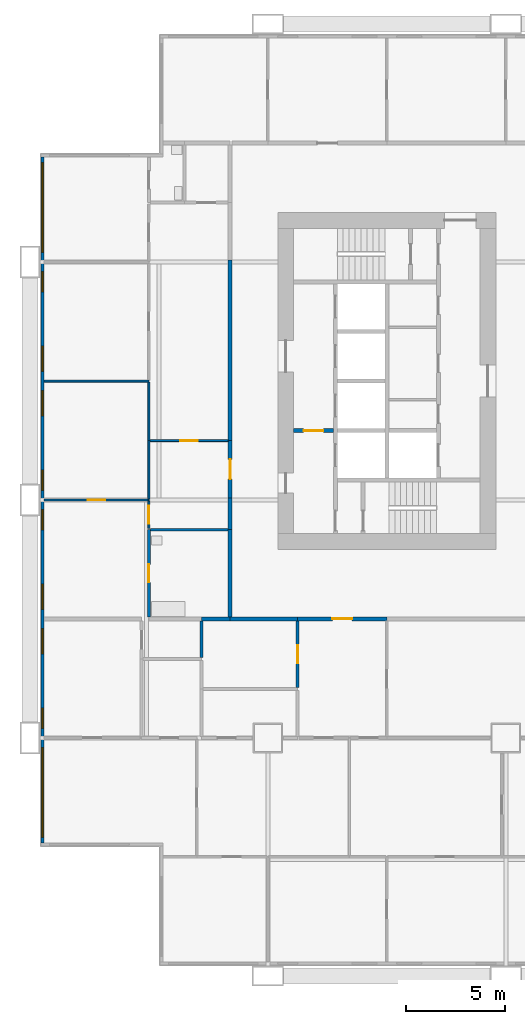
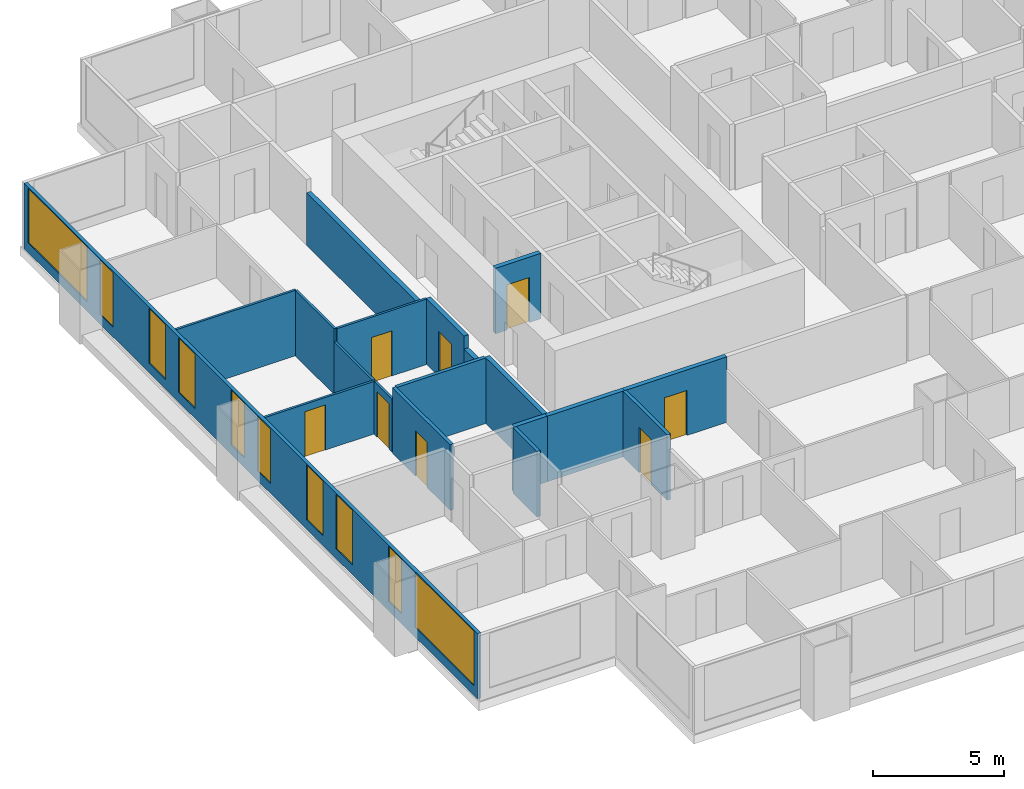
# One storey, part 3 of 14: 19 walls, 10 windows, 8 doors, 18 openings.
"""IFC4 building model written with IfcOpenShell, lengths in metres."""

from ifc_helpers import new_model, si_unit, direction, frame, frame_2d, origin, place, context, subcontext, project, spatial, rectangle, extrude, material, layer, layer_set, type_object, element, fill, save


model = new_model("IFC4")

# Units and contexts
model_context = context("Model", 3, precision=1e-05, world=origin(), true_north=direction((0.0, 1.0)))
body_context = subcontext(model_context, "Body", "Model", "MODEL_VIEW")
ifc_project = project(units=[si_unit("LENGTHUNIT", "METRE"), si_unit("AREAUNIT", "SQUARE_METRE"), si_unit("VOLUMEUNIT", "CUBIC_METRE"), si_unit("PLANEANGLEUNIT", "RADIAN"), si_unit("MASSUNIT", "GRAM", prefix="KILO")], contexts=[model_context])

# Site, building, storey
site_placement = place(None, origin())
site = spatial("IfcSite", under=ifc_project, at=site_placement, CompositionType="ELEMENT")
building_placement = place(site_placement, origin())
building = spatial("IfcBuilding", under=site, at=building_placement, Name="Kitamizu Gate Tower and Museum", CompositionType="ELEMENT")
storey_placement = place(building_placement, frame((0.0, 0.0, 64.5)))
storey = spatial("IfcBuildingStorey", under=building, at=storey_placement, Name="L15", CompositionType="ELEMENT", Elevation=64.5)

# Wall, opening, door
ifc_material_1 = material(Name="Gypsum board on galvanised stud")
ifc_layer_1 = layer(ifc_material_1, 0.10009765625)
ifc_layer_set_1 = layer_set([ifc_layer_1], Name="Gypsum board on galvanised stud")
wall_type_1 = type_object("IfcWallType", Name="Partition 100 NOT RATED", PredefinedType="PARTITIONING", material=ifc_layer_set_1)
wall_1_placement = place(storey_placement, frame((6.0, 24.0, 0.0), z_axis=(0.0, 0.0, 1.0), x_axis=(-1.0, 0.0, 0.0)))
wall_1 = element("IfcWall", 1, at=wall_1_placement, inside=storey, type_object=wall_type_1, Name="Partition L15-128", PredefinedType="PARTITIONING", context=body_context, shape_type="SweptSolid", body=[
    extrude(rectangle(XDim=5.280029296875, YDim=0.10009765625, at=frame_2d((2.64013671875, 0.0))), origin(), (0.0, 0.0, 1.0), 2.449951171875),
])
opening_1_placement = place(wall_1_placement, frame((2.18994140625, 0.0, 0.0)))
opening_1 = element("IfcOpeningElement", 2, at=opening_1_placement, cuts=wall_1, Name="Opening L15-052", PredefinedType="OPENING", context=body_context, shape_type="SweptSolid", body=[
    extrude(rectangle(XDim=0.89990234375, YDim=2.10009765625, at=frame_2d((0.449951171875, 1.050048828125))), frame((0.0, 0.06005859375, 0.0), z_axis=(0.0, -1.0, 0.0), x_axis=(1.0, 0.0, 0.0)), (0.0, 0.0, 1.0), 0.1201171875),
])
ifc_material_2 = material(Name="Timber door set", Category="wood")
door_type_1 = type_object("IfcDoorType", Name="Room door 900", OperationType="NOTDEFINED", PredefinedType="DOOR", material=ifc_material_2)
door_1_placement = place(opening_1_placement, origin())
door_1 = element("IfcDoor", 3, at=door_1_placement, inside=storey, type_object=door_type_1, Name="Door L15-052", OperationType="SINGLE_SWING_RIGHT", OverallHeight=2.10009765625, OverallWidth=0.89990234375, PredefinedType="DOOR", context=body_context, shape_type="SweptSolid", body=[
    extrude(rectangle(XDim=0.89990234375, YDim=2.10009765625, at=frame_2d((0.449951171875, 1.050048828125))), frame((0.0, 0.02490234375, 0.0), z_axis=(0.0, -1.0, 0.0), x_axis=(1.0, 0.0, 0.0)), (0.0, 0.0, 1.0), 0.050048828125),
])
fill(opening_1, door_1)

wall_2_placement = place(storey_placement, frame((6.0, 22.574951171875, 0.0), z_axis=(0.0, 0.0, 1.0), x_axis=(0.0, 1.0, 0.0)))
wall_2 = element("IfcWall", 4, at=wall_2_placement, inside=storey, type_object=wall_type_1, Name="Partition L15-130", PredefinedType="PARTITIONING", context=body_context, shape_type="SweptSolid", body=[
    extrude(rectangle(XDim=1.375, YDim=0.10009765625, at=frame_2d((0.6875, 0.0))), origin(), (0.0, 0.0, 1.0), 2.449951171875),
])
opening_2_placement = place(wall_2_placement, frame((0.237548828125, 0.0, 0.0)))
opening_2 = element("IfcOpeningElement", 5, at=opening_2_placement, cuts=wall_2, Name="Opening L15-048", PredefinedType="OPENING", context=body_context, shape_type="SweptSolid", body=[
    extrude(rectangle(XDim=0.89990234375, YDim=2.10009765625, at=frame_2d((0.449951171875, 1.050048828125))), frame((0.0, 0.06005859375, 0.0), z_axis=(0.0, -1.0, 0.0), x_axis=(1.0, 0.0, 0.0)), (0.0, 0.0, 1.0), 0.1201171875),
])
door_2_placement = place(opening_2_placement, origin())
door_2 = element("IfcDoor", 6, at=door_2_placement, inside=storey, type_object=door_type_1, Name="Door L15-048", OperationType="SINGLE_SWING_LEFT", OverallHeight=2.10009765625, OverallWidth=0.89990234375, PredefinedType="DOOR", context=body_context, shape_type="SweptSolid", body=[
    extrude(rectangle(XDim=0.89990234375, YDim=2.10009765625, at=frame_2d((0.449951171875, 1.050048828125))), frame((0.0, 0.02490234375, 0.0), z_axis=(0.0, -1.0, 0.0), x_axis=(1.0, 0.0, 0.0)), (0.0, 0.0, 1.0), 0.050048828125),
])
fill(opening_2, door_2)

# Walls
wall_3_placement = place(storey_placement, frame((6.0, 30.0, 0.0), z_axis=(0.0, 0.0, 1.0), x_axis=(-1.0, 0.0, 0.0)))
element("IfcWall", 7, at=wall_3_placement, inside=storey, type_object=wall_type_1, Name="Partition L15-131", PredefinedType="PARTITIONING", context=body_context, shape_type="SweptSolid", body=[
    extrude(rectangle(XDim=5.280029296875, YDim=0.10009765625, at=frame_2d((2.64013671875, 0.0))), origin(), (0.0, 0.0, 1.0), 3.050048828125),
])
wall_4_placement = place(storey_placement, frame((6.0, 24.050048828125, 0.0), z_axis=(0.0, 0.0, 1.0), x_axis=(0.0, 1.0, 0.0)))
element("IfcWall", 8, at=wall_4_placement, inside=storey, type_object=wall_type_1, Name="Partition L15-132", PredefinedType="PARTITIONING", context=body_context, shape_type="SweptSolid", body=[
    extrude(rectangle(XDim=2.949951171875, YDim=0.10009765625, at=frame_2d((1.47509765625, 0.0))), origin(), (0.0, 0.0, 1.0), 2.449951171875),
])
wall_5_placement = place(storey_placement, frame((6.0, 27.0, 0.0), z_axis=(0.0, 0.0, 1.0), x_axis=(0.0, 1.0, 0.0)))
element("IfcWall", 9, at=wall_5_placement, inside=storey, type_object=wall_type_1, Name="Partition L15-133", PredefinedType="PARTITIONING", context=body_context, shape_type="SweptSolid", body=[
    extrude(rectangle(XDim=2.949951171875, YDim=0.10009765625, at=frame_2d((1.47509765625, 0.0))), origin(), (0.0, 0.0, 1.0), 3.050048828125),
])

# Wall, opening, door
wall_6_placement = place(storey_placement, frame((10.0, 27.0, 0.0), z_axis=(0.0, 0.0, 1.0), x_axis=(-1.0, 0.0, 0.0)))
wall_6 = element("IfcWall", 10, at=wall_6_placement, inside=storey, type_object=wall_type_1, Name="Partition L15-140", PredefinedType="PARTITIONING", context=body_context, shape_type="SweptSolid", body=[
    extrude(rectangle(XDim=3.949951171875, YDim=0.10009765625, at=frame_2d((1.97509765625, 0.0))), origin(), (0.0, 0.0, 1.0), 3.050048828125),
])
opening_3_placement = place(wall_6_placement, frame((1.52490234375, 0.0, 0.0)))
opening_3 = element("IfcOpeningElement", 11, at=opening_3_placement, cuts=wall_6, Name="Opening L15-049", PredefinedType="OPENING", context=body_context, shape_type="SweptSolid", body=[
    extrude(rectangle(XDim=0.89990234375, YDim=2.10009765625, at=frame_2d((0.449951171875, 1.050048828125))), frame((0.0, 0.06005859375, 0.0), z_axis=(0.0, -1.0, 0.0), x_axis=(1.0, 0.0, 0.0)), (0.0, 0.0, 1.0), 0.1201171875),
])
door_3_placement = place(opening_3_placement, origin())
door_3 = element("IfcDoor", 12, at=door_3_placement, inside=storey, type_object=door_type_1, Name="Door L15-049", OperationType="SINGLE_SWING_RIGHT", OverallHeight=2.10009765625, OverallWidth=0.89990234375, PredefinedType="DOOR", context=body_context, shape_type="SweptSolid", body=[
    extrude(rectangle(XDim=0.89990234375, YDim=2.10009765625, at=frame_2d((0.449951171875, 1.050048828125))), frame((0.0, 0.02490234375, 0.0), z_axis=(0.0, -1.0, 0.0), x_axis=(1.0, 0.0, 0.0)), (0.0, 0.0, 1.0), 0.050048828125),
])
fill(opening_3, door_3)

# Wall
ifc_material_3 = material(Name="Gypsum board on galvanised stud")
ifc_layer_2 = layer(ifc_material_3, 0.14990234375)
ifc_layer_set_2 = layer_set([ifc_layer_2], Name="Gypsum board on galvanised stud")
wall_type_2 = type_object("IfcWallType", Name="Partition 150", PredefinedType="PARTITIONING", material=ifc_layer_set_2)
wall_7_placement = place(storey_placement, frame((8.64404296875, 16.06005859375, 0.0), z_axis=(0.0, 0.0, 1.0), x_axis=(0.0, 1.0, 0.0)))
element("IfcWall", 13, at=wall_7_placement, inside=storey, type_object=wall_type_2, Name="Partition L15-037", PredefinedType="PARTITIONING", context=body_context, shape_type="SweptSolid", body=[
    extrude(rectangle(XDim=1.83984375, YDim=0.14990234375, at=frame_2d((0.919921875, 0.0))), origin(), (0.0, 0.0, 1.0), 3.050048828125),
])

# Wall, opening, door
wall_8_placement = place(storey_placement, frame((13.5, 14.5458984375, 0.0), z_axis=(0.0, 0.0, 1.0), x_axis=(0.0, 1.0, 0.0)))
wall_8 = element("IfcWall", 14, at=wall_8_placement, inside=storey, type_object=wall_type_2, Name="Partition L15-041", PredefinedType="PARTITIONING", context=body_context, shape_type="SweptSolid", body=[
    extrude(rectangle(XDim=3.35400390625, YDim=0.14990234375, at=frame_2d((1.677001953125, 0.0))), origin(), (0.0, 0.0, 1.0), 3.050048828125),
])
opening_4_placement = place(wall_8_placement, frame((1.22705078125, 0.0, 0.0)))
opening_4 = element("IfcOpeningElement", 15, at=opening_4_placement, cuts=wall_8, Name="Opening L15-015", PredefinedType="OPENING", context=body_context, shape_type="SweptSolid", body=[
    extrude(rectangle(XDim=0.89990234375, YDim=2.10009765625, at=frame_2d((0.449951171875, 1.050048828125))), frame((0.0, 0.0849609375, 0.0), z_axis=(0.0, -1.0, 0.0), x_axis=(1.0, 0.0, 0.0)), (0.0, 0.0, 1.0), 0.169921875),
])
ifc_material_4 = material(Name="Timber door set", Category="wood")
door_type_2 = type_object("IfcDoorType", Name="Bathroom door 900", OperationType="NOTDEFINED", PredefinedType="DOOR", material=ifc_material_4)
door_4_placement = place(opening_4_placement, origin())
door_4 = element("IfcDoor", 16, at=door_4_placement, inside=storey, type_object=door_type_2, Name="Bathroom door L15-015", OperationType="SINGLE_SWING_LEFT", OverallHeight=2.10009765625, OverallWidth=0.89990234375, PredefinedType="DOOR", context=body_context, shape_type="SweptSolid", body=[
    extrude(rectangle(XDim=0.89990234375, YDim=2.10009765625, at=frame_2d((0.449951171875, 1.050048828125))), frame((0.0, 0.02490234375, 0.0), z_axis=(0.0, -1.0, 0.0), x_axis=(1.0, 0.0, 0.0)), (0.0, 0.0, 1.0), 0.050048828125),
])
fill(opening_4, door_4)

wall_9_placement = place(storey_placement, frame((6.0, 18.10009765625, 0.0), z_axis=(0.0, 0.0, 1.0), x_axis=(0.0, 1.0, 0.0)))
wall_9 = element("IfcWall", 17, at=wall_9_placement, inside=storey, type_object=wall_type_2, Name="Partition L15-129", PredefinedType="PARTITIONING", context=body_context, shape_type="SweptSolid", body=[
    extrude(rectangle(XDim=4.39990234375, YDim=0.14990234375, at=frame_2d((2.199951171875, 0.0))), origin(), (0.0, 0.0, 1.0), 3.050048828125),
])
opening_5_placement = place(wall_9_placement, frame((1.75, 0.0, 0.0)))
opening_5 = element("IfcOpeningElement", 18, at=opening_5_placement, cuts=wall_9, Name="Opening L15-053", PredefinedType="OPENING", context=body_context, shape_type="SweptSolid", body=[
    extrude(rectangle(XDim=0.89990234375, YDim=2.10009765625, at=frame_2d((0.449951171875, 1.050048828125))), frame((0.0, 0.0849609375, 0.0), z_axis=(0.0, -1.0, 0.0), x_axis=(1.0, 0.0, 0.0)), (0.0, 0.0, 1.0), 0.169921875),
])
door_5_placement = place(opening_5_placement, frame((0.89990234375, 0.0, 0.0), x_axis=(-1.0, 0.0, 0.0)))
door_5 = element("IfcDoor", 19, at=door_5_placement, inside=storey, type_object=door_type_2, Name="Bathroom door L15-053", OperationType="SINGLE_SWING_RIGHT", OverallHeight=2.10009765625, OverallWidth=0.89990234375, PredefinedType="DOOR", context=body_context, shape_type="SweptSolid", body=[
    extrude(rectangle(XDim=0.89990234375, YDim=2.10009765625, at=frame_2d((0.449951171875, 1.050048828125))), frame((0.0, 0.02490234375, 0.0), z_axis=(0.0, -1.0, 0.0), x_axis=(1.0, 0.0, 0.0)), (0.0, 0.0, 1.0), 0.050048828125),
])
fill(opening_5, door_5)

# Walls
wall_10_placement = place(storey_placement, frame((10.0, 22.5, 0.0), z_axis=(0.0, 0.0, 1.0), x_axis=(-1.0, 0.0, 0.0)))
element("IfcWall", 20, at=wall_10_placement, inside=storey, type_object=wall_type_2, Name="Partition L15-138", PredefinedType="PARTITIONING", context=body_context, shape_type="SweptSolid", body=[
    extrude(rectangle(XDim=3.925048828125, YDim=0.14990234375, at=frame_2d((1.96240234375, 0.0))), origin(), (0.0, 0.0, 1.0), 3.050048828125),
])
ifc_material_5 = material(Name="Gypsum board on galvanised stud")
ifc_layer_3 = layer(ifc_material_5, 0.199951171875)
ifc_layer_set_3 = layer_set([ifc_layer_3], Name="Gypsum board on galvanised stud")
wall_type_3 = type_object("IfcWallType", Name="Partition 200", PredefinedType="PARTITIONING", material=ifc_layer_set_3)
wall_11_placement = place(storey_placement, frame((10.10009765625, 18.0, 0.0), z_axis=(0.0, 0.0, 1.0), x_axis=(-1.0, 0.0, 0.0)))
element("IfcWall", 21, at=wall_11_placement, inside=storey, type_object=wall_type_3, Name="Partition L15-042", PredefinedType="PARTITIONING", context=body_context, shape_type="SweptSolid", body=[
    extrude(rectangle(XDim=1.4560546875, YDim=0.199951171875, at=frame_2d((0.72802734375, 0.0))), origin(), (0.0, 0.0, 1.0), 3.050048828125),
])
wall_12_placement = place(storey_placement, frame((13.5, 18.0, 0.0), z_axis=(0.0, 0.0, 1.0), x_axis=(-1.0, 0.0, 0.0)))
element("IfcWall", 22, at=wall_12_placement, inside=storey, type_object=wall_type_3, Name="Partition L15-043", PredefinedType="PARTITIONING", context=body_context, shape_type="SweptSolid", body=[
    extrude(rectangle(XDim=3.39990234375, YDim=0.199951171875, at=frame_2d((1.699951171875, 0.0))), origin(), (0.0, 0.0, 1.0), 3.050048828125),
])

# Wall, opening, door
wall_13_placement = place(storey_placement, frame((18.0, 18.0, 0.0), z_axis=(0.0, 0.0, 1.0), x_axis=(-1.0, 0.0, 0.0)))
wall_13 = element("IfcWall", 23, at=wall_13_placement, inside=storey, type_object=wall_type_3, Name="Partition L15-045", PredefinedType="PARTITIONING", context=body_context, shape_type="SweptSolid", body=[
    extrude(rectangle(XDim=4.5, YDim=0.199951171875, at=frame_2d((2.25, 0.0))), origin(), (0.0, 0.0, 1.0), 3.050048828125),
])
opening_6_placement = place(wall_13_placement, frame((1.75, 0.0, 0.0)))
opening_6 = element("IfcOpeningElement", 24, at=opening_6_placement, cuts=wall_13, Name="Opening L15-001", PredefinedType="OPENING", context=body_context, shape_type="SweptSolid", body=[
    extrude(rectangle(XDim=1.0, YDim=2.10009765625, at=frame_2d((0.5, 1.050048828125))), frame((0.0, 0.10986328125, 0.0), z_axis=(0.0, -1.0, 0.0), x_axis=(1.0, 0.0, 0.0)), (0.0, 0.0, 1.0), 0.219970703125),
])
ifc_material_6 = material(Name="Timber door set", Category="wood")
door_type_3 = type_object("IfcDoorType", Name="Flat entrance door 1000", OperationType="NOTDEFINED", PredefinedType="DOOR", material=ifc_material_6)
door_6_placement = place(opening_6_placement, origin())
door_6 = element("IfcDoor", 25, at=door_6_placement, inside=storey, type_object=door_type_3, Name="Flat entrance door L15-001", OperationType="SINGLE_SWING_RIGHT", OverallHeight=2.10009765625, OverallWidth=1.0, PredefinedType="DOOR", context=body_context, shape_type="SweptSolid", body=[
    extrude(rectangle(XDim=1.0, YDim=2.10009765625, at=frame_2d((0.5, 1.050048828125))), frame((0.0, 0.02490234375, 0.0), z_axis=(0.0, -1.0, 0.0), x_axis=(1.0, 0.0, 0.0)), (0.0, 0.0, 1.0), 0.050048828125),
])
fill(opening_6, door_6)

# Walls
wall_14_placement = place(storey_placement, frame((10.10009765625, 18.10009765625, 0.0), z_axis=(0.0, 0.0, 1.0), x_axis=(0.0, 1.0, 0.0)))
element("IfcWall", 26, at=wall_14_placement, inside=storey, type_object=wall_type_3, Name="Partition L15-139", PredefinedType="PARTITIONING", context=body_context, shape_type="SweptSolid", body=[
    extrude(rectangle(XDim=4.39990234375, YDim=0.199951171875, at=frame_2d((2.199951171875, 0.0))), origin(), (0.0, 0.0, 1.0), 3.050048828125),
])
wall_15_placement = place(storey_placement, frame((10.10009765625, 22.5, 0.0), z_axis=(0.0, 0.0, 1.0), x_axis=(0.0, 1.0, 0.0)))
element("IfcWall", 27, at=wall_15_placement, inside=storey, type_object=wall_type_3, Name="Partition L15-141", PredefinedType="PARTITIONING", context=body_context, shape_type="SweptSolid", body=[
    extrude(rectangle(XDim=1.60009765625, YDim=0.199951171875, at=frame_2d((0.800048828125, 0.0))), origin(), (0.0, 0.0, 1.0), 2.449951171875),
])

# Wall, opening, door
wall_16_placement = place(storey_placement, frame((10.10009765625, 24.10009765625, 0.0), z_axis=(0.0, 0.0, 1.0), x_axis=(0.0, 1.0, 0.0)))
wall_16 = element("IfcWall", 28, at=wall_16_placement, inside=storey, type_object=wall_type_3, Name="Partition L15-142", PredefinedType="PARTITIONING", context=body_context, shape_type="SweptSolid", body=[
    extrude(rectangle(XDim=2.89990234375, YDim=0.199951171875, at=frame_2d((1.449951171875, 0.0))), origin(), (0.0, 0.0, 1.0), 3.050048828125),
])
opening_7_placement = place(wall_16_placement, frame((0.949951171875, 0.0, 0.0)))
opening_7 = element("IfcOpeningElement", 29, at=opening_7_placement, cuts=wall_16, Name="Opening L15-047", PredefinedType="OPENING", context=body_context, shape_type="SweptSolid", body=[
    extrude(rectangle(XDim=1.0, YDim=2.10009765625, at=frame_2d((0.5, 1.050048828125))), frame((0.0, 0.10986328125, 0.0), z_axis=(0.0, -1.0, 0.0), x_axis=(1.0, 0.0, 0.0)), (0.0, 0.0, 1.0), 0.219970703125),
])
door_7_placement = place(opening_7_placement, origin())
door_7 = element("IfcDoor", 30, at=door_7_placement, inside=storey, type_object=door_type_3, Name="Flat entrance door L15-047", OperationType="SINGLE_SWING_LEFT", OverallHeight=2.10009765625, OverallWidth=1.0, PredefinedType="DOOR", context=body_context, shape_type="SweptSolid", body=[
    extrude(rectangle(XDim=1.0, YDim=2.10009765625, at=frame_2d((0.5, 1.050048828125))), frame((0.0, 0.02490234375, 0.0), z_axis=(0.0, -1.0, 0.0), x_axis=(1.0, 0.0, 0.0)), (0.0, 0.0, 1.0), 0.050048828125),
])
fill(opening_7, door_7)

# Wall
wall_17_placement = place(storey_placement, frame((10.10009765625, 27.0, 0.0), z_axis=(0.0, 0.0, 1.0), x_axis=(0.0, 1.0, 0.0)))
element("IfcWall", 31, at=wall_17_placement, inside=storey, type_object=wall_type_3, Name="Partition L15-145", PredefinedType="PARTITIONING", context=body_context, shape_type="SweptSolid", body=[
    extrude(rectangle(XDim=9.10009765625, YDim=0.199951171875, at=frame_2d((4.550048828125, 0.0))), origin(), (0.0, 0.0, 1.0), 2.449951171875),
])

# Wall, opening, door
ifc_material_7 = material(Name="Concrete Fc42", Category="concrete")
ifc_layer_4 = layer(ifc_material_7, 0.199951171875)
ifc_layer_set_4 = layer_set([ifc_layer_4], Name="Concrete Fc42")
wall_type_4 = type_object("IfcWallType", Name="Shaft wall 200", PredefinedType="SOLIDWALL", material=ifc_layer_set_4)
wall_18_placement = place(storey_placement, frame((13.300048828125, 27.5, 0.0), z_axis=(0.0, 0.0, 1.0), x_axis=(1.0, 0.0, 0.0)))
wall_18 = element("IfcWall", 32, at=wall_18_placement, inside=storey, type_object=wall_type_4, Name="Shaft wall WFFN", PredefinedType="SOLIDWALL", context=body_context, shape_type="SweptSolid", body=[
    extrude(rectangle(XDim=2.0, YDim=0.199951171875, at=frame_2d((1.0, 0.0))), origin(), (0.0, 0.0, 1.0), 3.050048828125),
])
opening_8_placement = place(wall_18_placement, frame((0.5, 0.0, 0.0)))
opening_8 = element("IfcOpeningElement", 33, at=opening_8_placement, cuts=wall_18, Name="Opening L15-089", PredefinedType="OPENING", context=body_context, shape_type="SweptSolid", body=[
    extrude(rectangle(XDim=1.0, YDim=2.10009765625, at=frame_2d((0.5, 1.050048828125))), frame((0.0, 0.10986328125, 0.0), z_axis=(0.0, -1.0, 0.0), x_axis=(1.0, 0.0, 0.0)), (0.0, 0.0, 1.0), 0.219970703125),
])
ifc_material_8 = material(Name="Hollow metal door set")
door_type_4 = type_object("IfcDoorType", Name="Fire door 1000", OperationType="NOTDEFINED", PredefinedType="DOOR", material=ifc_material_8)
door_8_placement = place(opening_8_placement, frame((1.0, 0.0, 0.0), x_axis=(-1.0, 0.0, 0.0)))
door_8 = element("IfcDoor", 34, at=door_8_placement, inside=storey, type_object=door_type_4, Name="Fire-fighting lobby door L15-089", OperationType="SINGLE_SWING_LEFT", OverallHeight=2.10009765625, OverallWidth=1.0, PredefinedType="DOOR", context=body_context, shape_type="SweptSolid", body=[
    extrude(rectangle(XDim=1.0, YDim=2.10009765625, at=frame_2d((0.5, 1.050048828125))), frame((0.0, 0.02490234375, 0.0), z_axis=(0.0, -1.0, 0.0), x_axis=(1.0, 0.0, 0.0)), (0.0, 0.0, 1.0), 0.050048828125),
])
fill(opening_8, door_8)

# Wall, openings, windows
ifc_material_9 = material(Name="Bronze anodised aluminium frame with insulated spandrel and tinted glass", Category="aluminium")
ifc_layer_5 = layer(ifc_material_9, 0.14990234375)
ifc_layer_set_5 = layer_set([ifc_layer_5], Name="Bronze anodised aluminium frame with insulated spandrel and tinted glass")
wall_type_5 = type_object("IfcWallType", Name="WINDOW WALL 150 BRONZE FRAME EI 30", PredefinedType="ELEMENTEDWALL", material=ifc_layer_set_5)
wall_19_placement = place(storey_placement, frame((0.635009765625, 6.7099609375, 0.0), z_axis=(0.0, 0.0, 1.0), x_axis=(0.0, 1.0, 0.0)))
wall_19 = element("IfcWall", 35, at=wall_19_placement, inside=storey, type_object=wall_type_5, Name="Window wall west L15", PredefinedType="ELEMENTEDWALL", context=body_context, shape_type="SweptSolid", body=[
    extrude(rectangle(XDim=34.580078125, YDim=0.14990234375, at=frame_2d((17.2900390625, 0.0))), origin(), (0.0, 0.0, 1.0), 3.050048828125),
])
opening_9_placement = place(wall_19_placement, frame((0.2900390625, 0.0, 0.449951171875)))
opening_9 = element("IfcOpeningElement", 36, at=opening_9_placement, cuts=wall_19, Name="Opening W15", PredefinedType="OPENING", context=body_context, shape_type="SweptSolid", body=[
    extrude(rectangle(XDim=4.5, YDim=2.550048828125, at=frame_2d((2.25, 1.27490234375))), frame((0.0, 0.0849609375, 0.0), z_axis=(0.0, -1.0, 0.0), x_axis=(1.0, 0.0, 0.0)), (0.0, 0.0, 1.0), 0.169921875),
])
opening_10_placement = place(wall_19_placement, frame((5.7900390625, 0.0, 0.449951171875)))
opening_10 = element("IfcOpeningElement", 37, at=opening_10_placement, cuts=wall_19, Name="Opening W26", PredefinedType="OPENING", context=body_context, shape_type="SweptSolid", body=[
    extrude(rectangle(XDim=1.0, YDim=2.550048828125, at=frame_2d((0.5, 1.27490234375))), frame((0.0, 0.0849609375, 0.0), z_axis=(0.0, -1.0, 0.0), x_axis=(1.0, 0.0, 0.0)), (0.0, 0.0, 1.0), 0.169921875),
])
opening_11_placement = place(wall_19_placement, frame((9.5400390625, 0.0, 0.449951171875)))
opening_11 = element("IfcOpeningElement", 38, at=opening_11_placement, cuts=wall_19, Name="Opening W27", PredefinedType="OPENING", context=body_context, shape_type="SweptSolid", body=[
    extrude(rectangle(XDim=1.25, YDim=2.550048828125, at=frame_2d((0.625, 1.27490234375))), frame((0.0, 0.0849609375, 0.0), z_axis=(0.0, -1.0, 0.0), x_axis=(1.0, 0.0, 0.0)), (0.0, 0.0, 1.0), 0.169921875),
])
opening_12_placement = place(wall_19_placement, frame((11.7900390625, 0.0, 0.449951171875)))
opening_12 = element("IfcOpeningElement", 39, at=opening_12_placement, cuts=wall_19, Name="Opening W27", PredefinedType="OPENING", context=body_context, shape_type="SweptSolid", body=[
    extrude(rectangle(XDim=1.25, YDim=2.550048828125, at=frame_2d((0.625, 1.27490234375))), frame((0.0, 0.0849609375, 0.0), z_axis=(0.0, -1.0, 0.0), x_axis=(1.0, 0.0, 0.0)), (0.0, 0.0, 1.0), 0.169921875),
])
opening_13_placement = place(wall_19_placement, frame((15.7900390625, 0.0, 0.449951171875)))
opening_13 = element("IfcOpeningElement", 40, at=opening_13_placement, cuts=wall_19, Name="Opening W26", PredefinedType="OPENING", context=body_context, shape_type="SweptSolid", body=[
    extrude(rectangle(XDim=1.0, YDim=2.550048828125, at=frame_2d((0.5, 1.27490234375))), frame((0.0, 0.0849609375, 0.0), z_axis=(0.0, -1.0, 0.0), x_axis=(1.0, 0.0, 0.0)), (0.0, 0.0, 1.0), 0.169921875),
])
opening_14_placement = place(wall_19_placement, frame((17.7900390625, 0.0, 0.449951171875)))
opening_14 = element("IfcOpeningElement", 41, at=opening_14_placement, cuts=wall_19, Name="Opening W26", PredefinedType="OPENING", context=body_context, shape_type="SweptSolid", body=[
    extrude(rectangle(XDim=1.0, YDim=2.550048828125, at=frame_2d((0.5, 1.27490234375))), frame((0.0, 0.0849609375, 0.0), z_axis=(0.0, -1.0, 0.0), x_axis=(1.0, 0.0, 0.0)), (0.0, 0.0, 1.0), 0.169921875),
])
opening_15_placement = place(wall_19_placement, frame((21.5400390625, 0.0, 0.449951171875)))
opening_15 = element("IfcOpeningElement", 42, at=opening_15_placement, cuts=wall_19, Name="Opening W27", PredefinedType="OPENING", context=body_context, shape_type="SweptSolid", body=[
    extrude(rectangle(XDim=1.25, YDim=2.550048828125, at=frame_2d((0.625, 1.27490234375))), frame((0.0, 0.0849609375, 0.0), z_axis=(0.0, -1.0, 0.0), x_axis=(1.0, 0.0, 0.0)), (0.0, 0.0, 1.0), 0.169921875),
])
opening_16_placement = place(wall_19_placement, frame((23.7900390625, 0.0, 0.449951171875)))
opening_16 = element("IfcOpeningElement", 43, at=opening_16_placement, cuts=wall_19, Name="Opening W27", PredefinedType="OPENING", context=body_context, shape_type="SweptSolid", body=[
    extrude(rectangle(XDim=1.25, YDim=2.550048828125, at=frame_2d((0.625, 1.27490234375))), frame((0.0, 0.0849609375, 0.0), z_axis=(0.0, -1.0, 0.0), x_axis=(1.0, 0.0, 0.0)), (0.0, 0.0, 1.0), 0.169921875),
])
opening_17_placement = place(wall_19_placement, frame((27.7900390625, 0.0, 0.449951171875)))
opening_17 = element("IfcOpeningElement", 44, at=opening_17_placement, cuts=wall_19, Name="Opening W26", PredefinedType="OPENING", context=body_context, shape_type="SweptSolid", body=[
    extrude(rectangle(XDim=1.0, YDim=2.550048828125, at=frame_2d((0.5, 1.27490234375))), frame((0.0, 0.0849609375, 0.0), z_axis=(0.0, -1.0, 0.0), x_axis=(1.0, 0.0, 0.0)), (0.0, 0.0, 1.0), 0.169921875),
])
opening_18_placement = place(wall_19_placement, frame((29.7900390625, 0.0, 0.449951171875)))
opening_18 = element("IfcOpeningElement", 45, at=opening_18_placement, cuts=wall_19, Name="Opening W15", PredefinedType="OPENING", context=body_context, shape_type="SweptSolid", body=[
    extrude(rectangle(XDim=4.5, YDim=2.550048828125, at=frame_2d((2.25, 1.27490234375))), frame((0.0, 0.0849609375, 0.0), z_axis=(0.0, -1.0, 0.0), x_axis=(1.0, 0.0, 0.0)), (0.0, 0.0, 1.0), 0.169921875),
])
ifc_material_10 = material(Name="Bronze anodised aluminium frame, tinted triple glazing", Category="aluminium")
window_type_1 = type_object("IfcWindowType", Name="WINDOW 1000 x 2550 SILL 450", PartitioningType="SINGLE_PANEL", PredefinedType="WINDOW", material=ifc_material_10)
window_1_placement = place(opening_10_placement, origin())
window_1 = element("IfcWindow", 46, at=window_1_placement, inside=storey, type_object=window_type_1, Name="Window W26 L15", OverallHeight=2.550048828125, OverallWidth=1.0, PartitioningType="SINGLE_PANEL", PredefinedType="WINDOW", context=body_context, shape_type="SweptSolid", body=[
    extrude(rectangle(XDim=1.0, YDim=2.550048828125, at=frame_2d((0.5, 1.27490234375))), frame((0.0, 0.030029296875, 0.0), z_axis=(0.0, -1.0, 0.0), x_axis=(1.0, 0.0, 0.0)), (0.0, 0.0, 1.0), 0.06005859375),
])
fill(opening_10, window_1)
window_2_placement = place(opening_13_placement, origin())
window_2 = element("IfcWindow", 47, at=window_2_placement, inside=storey, type_object=window_type_1, Name="Window W26 L15", OverallHeight=2.550048828125, OverallWidth=1.0, PartitioningType="SINGLE_PANEL", PredefinedType="WINDOW", context=body_context, shape_type="SweptSolid", body=[
    extrude(rectangle(XDim=1.0, YDim=2.550048828125, at=frame_2d((0.5, 1.27490234375))), frame((0.0, 0.030029296875, 0.0), z_axis=(0.0, -1.0, 0.0), x_axis=(1.0, 0.0, 0.0)), (0.0, 0.0, 1.0), 0.06005859375),
])
fill(opening_13, window_2)
window_3_placement = place(opening_14_placement, origin())
window_3 = element("IfcWindow", 48, at=window_3_placement, inside=storey, type_object=window_type_1, Name="Window W26 L15", OverallHeight=2.550048828125, OverallWidth=1.0, PartitioningType="SINGLE_PANEL", PredefinedType="WINDOW", context=body_context, shape_type="SweptSolid", body=[
    extrude(rectangle(XDim=1.0, YDim=2.550048828125, at=frame_2d((0.5, 1.27490234375))), frame((0.0, 0.030029296875, 0.0), z_axis=(0.0, -1.0, 0.0), x_axis=(1.0, 0.0, 0.0)), (0.0, 0.0, 1.0), 0.06005859375),
])
fill(opening_14, window_3)
window_4_placement = place(opening_17_placement, origin())
window_4 = element("IfcWindow", 49, at=window_4_placement, inside=storey, type_object=window_type_1, Name="Window W26 L15", OverallHeight=2.550048828125, OverallWidth=1.0, PartitioningType="SINGLE_PANEL", PredefinedType="WINDOW", context=body_context, shape_type="SweptSolid", body=[
    extrude(rectangle(XDim=1.0, YDim=2.550048828125, at=frame_2d((0.5, 1.27490234375))), frame((0.0, 0.030029296875, 0.0), z_axis=(0.0, -1.0, 0.0), x_axis=(1.0, 0.0, 0.0)), (0.0, 0.0, 1.0), 0.06005859375),
])
fill(opening_17, window_4)
ifc_material_11 = material(Name="Bronze anodised aluminium frame, tinted triple glazing", Category="aluminium")
window_type_2 = type_object("IfcWindowType", Name="WINDOW 1250 x 2550 SILL 450", PartitioningType="SINGLE_PANEL", PredefinedType="WINDOW", material=ifc_material_11)
window_5_placement = place(opening_11_placement, origin())
window_5 = element("IfcWindow", 50, at=window_5_placement, inside=storey, type_object=window_type_2, Name="Window W27 L15", OverallHeight=2.550048828125, OverallWidth=1.25, PartitioningType="SINGLE_PANEL", PredefinedType="WINDOW", context=body_context, shape_type="SweptSolid", body=[
    extrude(rectangle(XDim=1.25, YDim=2.550048828125, at=frame_2d((0.625, 1.27490234375))), frame((0.0, 0.030029296875, 0.0), z_axis=(0.0, -1.0, 0.0), x_axis=(1.0, 0.0, 0.0)), (0.0, 0.0, 1.0), 0.06005859375),
])
fill(opening_11, window_5)
window_6_placement = place(opening_12_placement, origin())
window_6 = element("IfcWindow", 51, at=window_6_placement, inside=storey, type_object=window_type_2, Name="Window W27 L15", OverallHeight=2.550048828125, OverallWidth=1.25, PartitioningType="SINGLE_PANEL", PredefinedType="WINDOW", context=body_context, shape_type="SweptSolid", body=[
    extrude(rectangle(XDim=1.25, YDim=2.550048828125, at=frame_2d((0.625, 1.27490234375))), frame((0.0, 0.030029296875, 0.0), z_axis=(0.0, -1.0, 0.0), x_axis=(1.0, 0.0, 0.0)), (0.0, 0.0, 1.0), 0.06005859375),
])
fill(opening_12, window_6)
window_7_placement = place(opening_15_placement, origin())
window_7 = element("IfcWindow", 52, at=window_7_placement, inside=storey, type_object=window_type_2, Name="Window W27 L15", OverallHeight=2.550048828125, OverallWidth=1.25, PartitioningType="SINGLE_PANEL", PredefinedType="WINDOW", context=body_context, shape_type="SweptSolid", body=[
    extrude(rectangle(XDim=1.25, YDim=2.550048828125, at=frame_2d((0.625, 1.27490234375))), frame((0.0, 0.030029296875, 0.0), z_axis=(0.0, -1.0, 0.0), x_axis=(1.0, 0.0, 0.0)), (0.0, 0.0, 1.0), 0.06005859375),
])
fill(opening_15, window_7)
window_8_placement = place(opening_16_placement, origin())
window_8 = element("IfcWindow", 53, at=window_8_placement, inside=storey, type_object=window_type_2, Name="Window W27 L15", OverallHeight=2.550048828125, OverallWidth=1.25, PartitioningType="SINGLE_PANEL", PredefinedType="WINDOW", context=body_context, shape_type="SweptSolid", body=[
    extrude(rectangle(XDim=1.25, YDim=2.550048828125, at=frame_2d((0.625, 1.27490234375))), frame((0.0, 0.030029296875, 0.0), z_axis=(0.0, -1.0, 0.0), x_axis=(1.0, 0.0, 0.0)), (0.0, 0.0, 1.0), 0.06005859375),
])
fill(opening_16, window_8)
ifc_material_12 = material(Name="Bronze anodised aluminium frame, tinted triple glazing", Category="aluminium")
window_type_3 = type_object("IfcWindowType", Name="WINDOW 4500 x 2550 SILL 450", PartitioningType="SINGLE_PANEL", PredefinedType="WINDOW", material=ifc_material_12)
window_9_placement = place(opening_9_placement, origin())
window_9 = element("IfcWindow", 54, at=window_9_placement, inside=storey, type_object=window_type_3, Name="Window W15 L15", OverallHeight=2.550048828125, OverallWidth=4.5, PartitioningType="SINGLE_PANEL", PredefinedType="WINDOW", context=body_context, shape_type="SweptSolid", body=[
    extrude(rectangle(XDim=4.5, YDim=2.550048828125, at=frame_2d((2.25, 1.27490234375))), frame((0.0, 0.030029296875, 0.0), z_axis=(0.0, -1.0, 0.0), x_axis=(1.0, 0.0, 0.0)), (0.0, 0.0, 1.0), 0.06005859375),
])
fill(opening_9, window_9)
window_10_placement = place(opening_18_placement, origin())
window_10 = element("IfcWindow", 55, at=window_10_placement, inside=storey, type_object=window_type_3, Name="Window W15 L15", OverallHeight=2.550048828125, OverallWidth=4.5, PartitioningType="SINGLE_PANEL", PredefinedType="WINDOW", context=body_context, shape_type="SweptSolid", body=[
    extrude(rectangle(XDim=4.5, YDim=2.550048828125, at=frame_2d((2.25, 1.27490234375))), frame((0.0, 0.030029296875, 0.0), z_axis=(0.0, -1.0, 0.0), x_axis=(1.0, 0.0, 0.0)), (0.0, 0.0, 1.0), 0.06005859375),
])
fill(opening_18, window_10)

save(model, "model.ifc")
